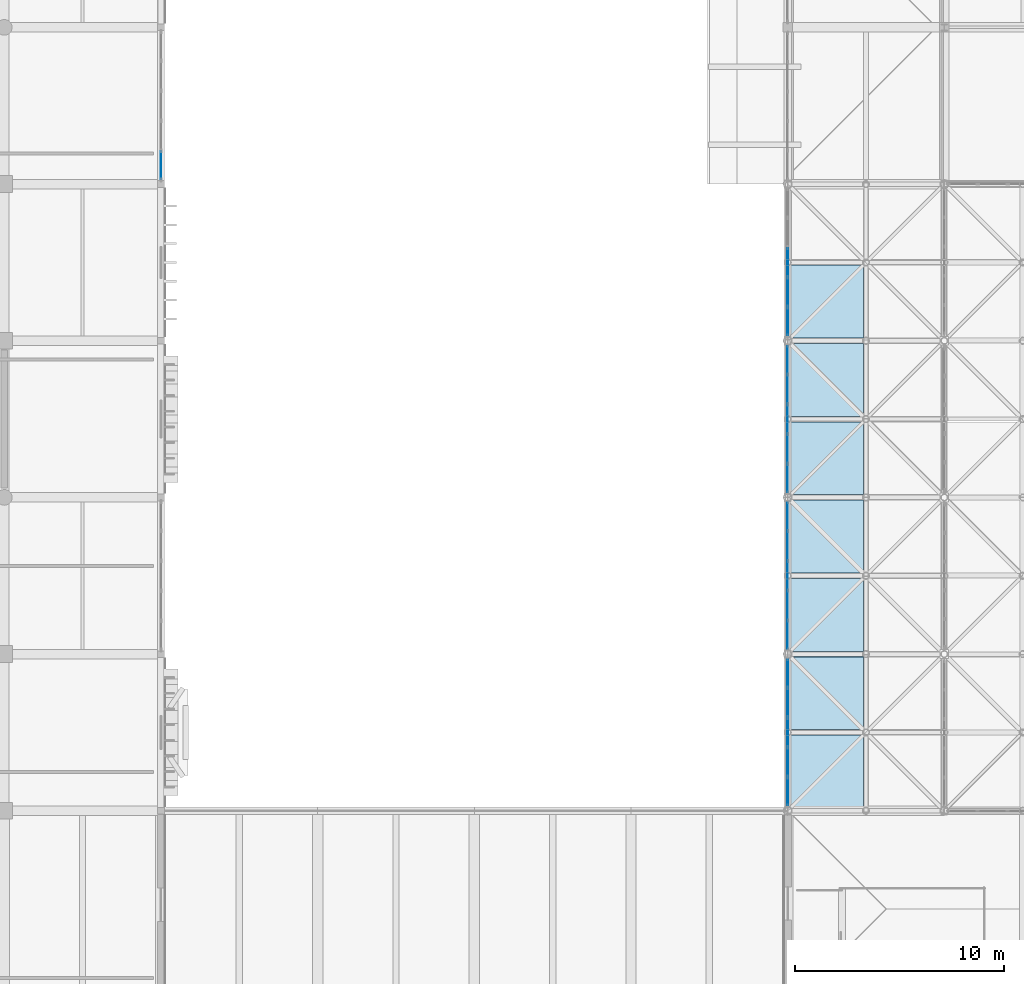
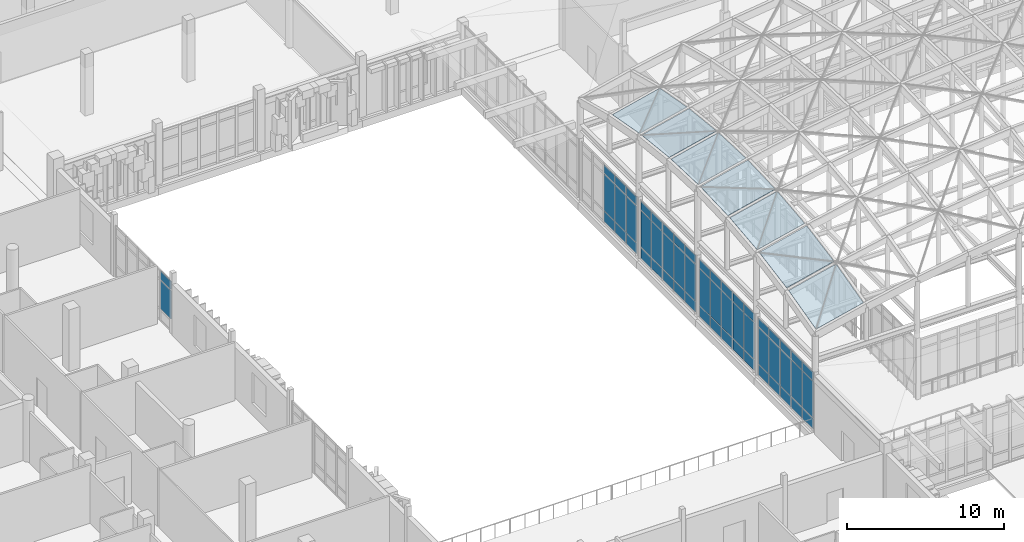
# One storey, part 76 of 131: 63 plates, 6 elements without a shape of their own.
"""IFC4 building model written with IfcOpenShell, lengths in metres."""

import ifcopenshell
import ifcopenshell.guid

model = None  # the IFC model being written
_history = None  # IfcOwnerHistory: only IFC2X3 demands one
_inside = {}  # id of a spatial element -> (the spatial element, [elements in it])
_under = {}  # id of a project, library or spatial element -> (it, [spatial elements below it])
_declared = {}  # id of a project -> (the project, [libraries it declares])
_typed = {}  # id of a type object -> (the type object, [elements of that type])
_made_of = {}  # id of a material, layer set ... -> (it, [elements and type objects made of it])


def new_model(schema):
    """Start an empty IFC model of exactly this schema.

    Asked for "IFC4X3", IfcOpenShell would pick the latest addendum, in which some entities
    have other attributes; the version numbers below select the first issue.
    IFC2X3 requires an IfcOwnerHistory on every rooted entity: one is made here for all.
    """
    global model, _history
    if schema == "IFC4X3":
        model = ifcopenshell.file(schema_version=(4, 3, 0, 0))
    else:
        model = ifcopenshell.file(schema=schema)
    _inside.clear()
    _under.clear()
    _declared.clear()
    _typed.clear()
    _made_of.clear()
    _history = None
    if model.schema == "IFC2X3":
        org = make("IfcOrganization", Name="unknown")
        user = make(
            "IfcPersonAndOrganization",
            ThePerson=make("IfcPerson", FamilyName="unknown"),
            TheOrganization=org,
        )
        app = make(
            "IfcApplication",
            ApplicationDeveloper=org,
            Version="unknown",
            ApplicationFullName="unknown",
            ApplicationIdentifier="unknown",
        )
        _history = make(
            "IfcOwnerHistory",
            OwningUser=user,
            OwningApplication=app,
            ChangeAction="ADDED",
            CreationDate=0,
        )
    return model


def make(cls, **values):
    """One entity of the class cls with the attributes given. An attribute that is None is left unset."""
    return model.create_entity(
        cls, **{name: value for name, value in values.items() if value is not None}
    )


def rooted(cls, **values):
    """An entity with a GlobalId (a new one), such as an element, a storey or a relation."""
    return make(cls, GlobalId=ifcopenshell.guid.new(), OwnerHistory=_history, **values)


def si_unit(unit_type, name, prefix=None):
    """IfcSIUnit, for example si_unit("LENGTHUNIT", "METRE", prefix="MILLI")."""
    return make("IfcSIUnit", UnitType=unit_type, Prefix=prefix, Name=name)


def assignment(units):
    """IfcUnitAssignment: the units of a project."""
    return None if units is None else make("IfcUnitAssignment", Units=units)


def point(xyz):
    """IfcCartesianPoint."""
    return None if xyz is None else make("IfcCartesianPoint", Coordinates=xyz)


def direction(xyz):
    """IfcDirection."""
    return None if xyz is None else make("IfcDirection", DirectionRatios=xyz)


def frame(location, z_axis=None, x_axis=None):
    """IfcAxis2Placement3D, a coordinate frame: its origin and axes. An axis left out is left unset."""
    return make(
        "IfcAxis2Placement3D",
        Location=point(location),
        Axis=direction(z_axis),
        RefDirection=direction(x_axis),
    )


def frame_2d(location, x_axis=None):
    """IfcAxis2Placement2D, a coordinate frame in the plane: its origin and x axis."""
    return make(
        "IfcAxis2Placement2D", Location=point(location), RefDirection=direction(x_axis)
    )


def origin():
    """The frame at (0, 0, 0) with its axes left unset."""
    return frame((0.0, 0.0, 0.0))


def origin_2d():
    """The frame at (0, 0) in the plane with its x axis left unset."""
    return frame_2d((0.0, 0.0))


def place(relative_to, where):
    """IfcLocalPlacement: puts the frame where relative to a parent placement (None: the world)."""
    return make(
        "IfcLocalPlacement", PlacementRelTo=relative_to, RelativePlacement=where
    )


def context(
    kind, dimensions, precision=None, world=None, true_north=None, identifier=None
):
    """IfcGeometricRepresentationContext, for example the 3D "Model" context."""
    return make(
        "IfcGeometricRepresentationContext",
        ContextIdentifier=identifier,
        ContextType=kind,
        CoordinateSpaceDimension=dimensions,
        Precision=precision,
        WorldCoordinateSystem=world,
        TrueNorth=true_north,
    )


def subcontext(parent, identifier, kind, view, scale=None):
    """IfcGeometricRepresentationSubContext, for example "Body" below "Model"."""
    return make(
        "IfcGeometricRepresentationSubContext",
        ContextIdentifier=identifier,
        ContextType=kind,
        ParentContext=parent,
        TargetScale=scale,
        TargetView=view,
    )


def project(units=None, contexts=None):
    """IfcProject with its units and contexts."""
    return rooted(
        "IfcProject",
        Name="project",
        RepresentationContexts=contexts,
        UnitsInContext=assignment(units),
    )


def spatial(cls, under=None, at=None, **own):
    """A site, building, storey or space (cls), placed at a placement, below another one or the project."""
    s = rooted(cls, ObjectPlacement=at, **own)
    if under is not None:
        _under.setdefault(under.id(), (under, []))[1].append(s)
    return s


def polyline(points):
    """IfcPolyline through the points."""
    return make("IfcPolyline", Points=[point(p) for p in points])


def profile(cls, at=None, kind="AREA", **sizes):
    """A parametric profile (cls). Its sizes go by their IFC names, for example OverallWidth=200.0."""
    return make(cls, ProfileType=kind, Position=at, **sizes)


def rectangle(**sizes):
    """IfcRectangleProfileDef."""
    return profile("IfcRectangleProfileDef", **sizes)


def outline(outer, holes=None, kind="AREA"):
    """IfcArbitraryClosedProfileDef: a profile drawn as a closed curve; with holes, ...WithVoids."""
    if holes is None:
        return make("IfcArbitraryClosedProfileDef", ProfileType=kind, OuterCurve=outer)
    return make(
        "IfcArbitraryProfileDefWithVoids",
        ProfileType=kind,
        OuterCurve=outer,
        InnerCurves=holes,
    )


def extrude(swept, where, along, depth):
    """IfcExtrudedAreaSolid: the profile swept, set in the frame where, extruded along a direction by depth."""
    return make(
        "IfcExtrudedAreaSolid",
        SweptArea=swept,
        Position=where,
        ExtrudedDirection=direction(along),
        Depth=depth,
    )


def shape(context_of_items, identifier, shape_type, items):
    """IfcShapeRepresentation: the items that make up one representation, for example the "Body"."""
    return make(
        "IfcShapeRepresentation",
        ContextOfItems=context_of_items,
        RepresentationIdentifier=identifier,
        RepresentationType=shape_type,
        Items=items,
    )


def material(Name=None, Category=None):
    """IfcMaterial."""
    return make("IfcMaterial", Name=Name, Category=Category)


def layer(
    of_material, thickness, ventilated=None, Name=None, Category=None, Priority=None
):
    """IfcMaterialLayer: one layer of a wall or slab, of a material (None: an air gap)."""
    return make(
        "IfcMaterialLayer",
        Material=of_material,
        LayerThickness=thickness,
        IsVentilated=ventilated,
        Name=Name,
        Category=Category,
        Priority=Priority,
    )


def layer_set(layers, Name=None):
    """IfcMaterialLayerSet."""
    return make("IfcMaterialLayerSet", MaterialLayers=layers, LayerSetName=Name)


def made_of(thing, what):
    """Note that an element or type object is made of a material, layer set ...; save() writes the relation."""
    if what is not None:
        _made_of.setdefault(what.id(), (what, []))[1].append(thing)
    return thing


def type_object(cls, material=None, **own):
    """A type object (cls), such as IfcWallType, which elements share."""
    return made_of(rooted(cls, **own), material)


def element(
    cls,
    number,
    at=None,
    inside=None,
    cuts=None,
    type_object=None,
    material=None,
    context=None,
    identifier="Body",
    shape_type=None,
    held_by="IfcProductDefinitionShape",
    body=None,
    shapes=None,
    **own,
):
    """One element of the class cls, such as IfcWall. Its Tag is "e" and its number.

    at: its placement. inside: the storey or other place that contains it. cuts: it is an
    opening in that element (IfcRelVoidsElement). A single representation is given by context,
    identifier, shape_type and body (its items); several are given by shapes. held_by: the class
    of the entity that holds the representations. save() writes the other relations.
    """
    e = rooted(cls, Tag="e%d" % number, ObjectPlacement=at, **own)
    if body is not None:
        shapes = [shape(context, identifier, shape_type, body)]
    if shapes is not None:
        e.Representation = make(held_by, Representations=shapes)
    if inside is not None:
        _inside.setdefault(inside.id(), (inside, []))[1].append(e)
    if cuts is not None:
        rooted(
            "IfcRelVoidsElement", RelatingBuildingElement=cuts, RelatedOpeningElement=e
        )
    if type_object is not None:
        _typed.setdefault(type_object.id(), (type_object, []))[1].append(e)
    return made_of(e, material)


def aggregate(whole, parts):
    """IfcRelAggregates: a whole, such as a stair, and the parts it consists of."""
    return rooted("IfcRelAggregates", RelatingObject=whole, RelatedObjects=parts)


def save(model, path):
    """Write the relations noted so far, then the file.

    IfcRelAggregates (storeys below a building ...), IfcRelContainedInSpatialStructure (elements
    in a storey), IfcRelDefinesByType, IfcRelAssociatesMaterial and IfcRelDeclares: one each for
    every whole, place, type object, material and project.
    """
    for whole, parts in _under.values():
        aggregate(whole, parts)
    for where, things in _inside.values():
        rooted(
            "IfcRelContainedInSpatialStructure",
            RelatedElements=things,
            RelatingStructure=where,
        )
    for kind, things in _typed.values():
        rooted("IfcRelDefinesByType", RelatedObjects=things, RelatingType=kind)
    for what, things in _made_of.values():
        rooted("IfcRelAssociatesMaterial", RelatedObjects=things, RelatingMaterial=what)
    for by, libraries in _declared.values():
        rooted("IfcRelDeclares", RelatingContext=by, RelatedDefinitions=libraries)
    model.write(path)


model = new_model("IFC4")

# Units and contexts
model_context = context("Model", 3, precision=1e-05, world=origin(), true_north=direction((0.0, 1.0)))
body_context = subcontext(model_context, "Body", "Model", "MODEL_VIEW")
ifc_project = project(units=[si_unit("LENGTHUNIT", "METRE"), si_unit("AREAUNIT", "SQUARE_METRE"), si_unit("VOLUMEUNIT", "CUBIC_METRE"), si_unit("PLANEANGLEUNIT", "RADIAN"), si_unit("MASSUNIT", "GRAM", prefix="KILO")], contexts=[model_context])

# Site, building, storey
site_placement = place(None, origin())
site = spatial("IfcSite", under=ifc_project, at=site_placement, CompositionType="ELEMENT")
building_placement = place(site_placement, origin())
building = spatial("IfcBuilding", under=site, at=building_placement, Name="Dalvernix Boulevard General Hospital", CompositionType="ELEMENT")
storey_placement = place(building_placement, frame((0.0, 0.0, 9.300048828125)))
storey = spatial("IfcBuildingStorey", under=building, at=storey_placement, Name="L02", CompositionType="ELEMENT", Elevation=9.300048828125)

# Curtain wall, plates
ifc_material_1 = material(Name="Thermally broken aluminium and solar-control glass curtain wall", Category="aluminium")
ifc_layer_1 = layer(ifc_material_1, 0.159912109375)
ifc_layer_set_1 = layer_set([ifc_layer_1], Name="Thermally broken aluminium and solar-control glass curtain wall (CW-CW-A-71x46)")
curtain_wall_type_1 = type_object("IfcCurtainWallType", Name="CW-CW-A-71x46", PredefinedType="USERDEFINED", material=ifc_layer_set_1)
curtain_wall_1_placement = place(storey_placement, origin())
curtain_wall_1 = element("IfcCurtainWall", 1, at=curtain_wall_1_placement, inside=storey, type_object=curtain_wall_type_1, Name="L02 curtain wall CW-A-71x46 8-5", ObjectType="GLAZED FACADE", PredefinedType="USERDEFINED")
ifc_material_2 = material(Name="Double-glazed solar-control low-emissivity glass", Category="glass")
ifc_layer_2 = layer(ifc_material_2, 0.02392578125)
ifc_layer_set_2 = layer_set([ifc_layer_2], Name="Double-glazed solar-control low-emissivity glass (PLT-CW-P1)")
plate_type_1 = type_object("IfcPlateType", Name="PLT-CW-P1", PredefinedType="CURTAIN_PANEL", material=ifc_layer_set_2)
plate_1_placement = place(storey_placement, frame((60.0, 39.9169921875, 0.059814453125), z_axis=(0.0, 0.0, 1.0), x_axis=(0.0, 1.0, 0.0)))
plate_1 = element("IfcPlate", 2, at=plate_1_placement, type_object=plate_type_1, Name="CW-A-71x46 panel 1.1", PredefinedType="CURTAIN_PANEL", context=body_context, shape_type="SweptSolid", body=[
    extrude(rectangle(XDim=1.333984375, YDim=0.02392578125, at=origin_2d()), origin(), (0.0, 0.0, 1.0), 0.81005859375),
])
plate_2_placement = place(storey_placement, frame((60.0, 39.9169921875, 0.9296875), z_axis=(0.0, 0.0, 1.0), x_axis=(0.0, 1.0, 0.0)))
plate_2 = element("IfcPlate", 3, at=plate_2_placement, type_object=plate_type_1, Name="CW-A-71x46 panel 1.2", PredefinedType="CURTAIN_PANEL", context=body_context, shape_type="SweptSolid", body=[
    extrude(rectangle(XDim=1.333984375, YDim=0.02392578125, at=origin_2d()), origin(), (0.0, 0.0, 1.0), 2.840087890625),
])
plate_3_placement = place(storey_placement, frame((60.0, 39.9169921875, 3.830078125), z_axis=(0.0, 0.0, 1.0), x_axis=(0.0, 1.0, 0.0)))
plate_3 = element("IfcPlate", 4, at=plate_3_placement, type_object=plate_type_1, Name="CW-A-71x46 panel 1.3", PredefinedType="CURTAIN_PANEL", context=body_context, shape_type="SweptSolid", body=[
    extrude(rectangle(XDim=1.333984375, YDim=0.02392578125, at=origin_2d()), origin(), (0.0, 0.0, 1.0), 0.659912109375),
])
plate_4_placement = place(storey_placement, frame((60.0, 41.325927734375, 0.059814453125), z_axis=(0.0, 0.0, 1.0), x_axis=(0.0, 1.0, 0.0)))
plate_4 = element("IfcPlate", 5, at=plate_4_placement, type_object=plate_type_1, Name="CW-A-71x46 panel 2.1", PredefinedType="CURTAIN_PANEL", context=body_context, shape_type="SweptSolid", body=[
    extrude(rectangle(XDim=1.364013671875, YDim=0.02392578125, at=origin_2d()), origin(), (0.0, 0.0, 1.0), 0.81005859375),
])
plate_5_placement = place(storey_placement, frame((60.0, 41.325927734375, 0.9296875), z_axis=(0.0, 0.0, 1.0), x_axis=(0.0, 1.0, 0.0)))
plate_5 = element("IfcPlate", 6, at=plate_5_placement, type_object=plate_type_1, Name="CW-A-71x46 panel 2.2", PredefinedType="CURTAIN_PANEL", context=body_context, shape_type="SweptSolid", body=[
    extrude(rectangle(XDim=1.364013671875, YDim=0.02392578125, at=origin_2d()), origin(), (0.0, 0.0, 1.0), 2.840087890625),
])
plate_6_placement = place(storey_placement, frame((60.0, 41.325927734375, 3.830078125), z_axis=(0.0, 0.0, 1.0), x_axis=(0.0, 1.0, 0.0)))
plate_6 = element("IfcPlate", 7, at=plate_6_placement, type_object=plate_type_1, Name="CW-A-71x46 panel 2.3", PredefinedType="CURTAIN_PANEL", context=body_context, shape_type="SweptSolid", body=[
    extrude(rectangle(XDim=1.364013671875, YDim=0.02392578125, at=origin_2d()), origin(), (0.0, 0.0, 1.0), 0.659912109375),
])
plate_7_placement = place(storey_placement, frame((60.0, 42.75, 0.059814453125), z_axis=(0.0, 0.0, 1.0), x_axis=(0.0, 1.0, 0.0)))
plate_7 = element("IfcPlate", 8, at=plate_7_placement, type_object=plate_type_1, Name="CW-A-71x46 panel 3.1", PredefinedType="CURTAIN_PANEL", context=body_context, shape_type="SweptSolid", body=[
    extrude(rectangle(XDim=1.364013671875, YDim=0.02392578125, at=origin_2d()), origin(), (0.0, 0.0, 1.0), 0.81005859375),
])
plate_8_placement = place(storey_placement, frame((60.0, 42.75, 0.9296875), z_axis=(0.0, 0.0, 1.0), x_axis=(0.0, 1.0, 0.0)))
plate_8 = element("IfcPlate", 9, at=plate_8_placement, type_object=plate_type_1, Name="CW-A-71x46 panel 3.2", PredefinedType="CURTAIN_PANEL", context=body_context, shape_type="SweptSolid", body=[
    extrude(rectangle(XDim=1.364013671875, YDim=0.02392578125, at=origin_2d()), origin(), (0.0, 0.0, 1.0), 2.840087890625),
])
plate_9_placement = place(storey_placement, frame((60.0, 42.75, 3.830078125), z_axis=(0.0, 0.0, 1.0), x_axis=(0.0, 1.0, 0.0)))
plate_9 = element("IfcPlate", 10, at=plate_9_placement, type_object=plate_type_1, Name="CW-A-71x46 panel 3.3", PredefinedType="CURTAIN_PANEL", context=body_context, shape_type="SweptSolid", body=[
    extrude(rectangle(XDim=1.364013671875, YDim=0.02392578125, at=origin_2d()), origin(), (0.0, 0.0, 1.0), 0.659912109375),
])
plate_10_placement = place(storey_placement, frame((60.0, 44.174072265625, 0.059814453125), z_axis=(0.0, 0.0, 1.0), x_axis=(0.0, 1.0, 0.0)))
plate_10 = element("IfcPlate", 11, at=plate_10_placement, type_object=plate_type_1, Name="CW-A-71x46 panel 4.1", PredefinedType="CURTAIN_PANEL", context=body_context, shape_type="SweptSolid", body=[
    extrude(rectangle(XDim=1.364013671875, YDim=0.02392578125, at=origin_2d()), origin(), (0.0, 0.0, 1.0), 0.81005859375),
])
plate_11_placement = place(storey_placement, frame((60.0, 44.174072265625, 0.9296875), z_axis=(0.0, 0.0, 1.0), x_axis=(0.0, 1.0, 0.0)))
plate_11 = element("IfcPlate", 12, at=plate_11_placement, type_object=plate_type_1, Name="CW-A-71x46 panel 4.2", PredefinedType="CURTAIN_PANEL", context=body_context, shape_type="SweptSolid", body=[
    extrude(rectangle(XDim=1.364013671875, YDim=0.02392578125, at=origin_2d()), origin(), (0.0, 0.0, 1.0), 2.840087890625),
])
plate_12_placement = place(storey_placement, frame((60.0, 44.174072265625, 3.830078125), z_axis=(0.0, 0.0, 1.0), x_axis=(0.0, 1.0, 0.0)))
plate_12 = element("IfcPlate", 13, at=plate_12_placement, type_object=plate_type_1, Name="CW-A-71x46 panel 4.3", PredefinedType="CURTAIN_PANEL", context=body_context, shape_type="SweptSolid", body=[
    extrude(rectangle(XDim=1.364013671875, YDim=0.02392578125, at=origin_2d()), origin(), (0.0, 0.0, 1.0), 0.659912109375),
])
plate_13_placement = place(storey_placement, frame((60.0, 45.5830078125, 0.059814453125), z_axis=(0.0, 0.0, 1.0), x_axis=(0.0, 1.0, 0.0)))
plate_13 = element("IfcPlate", 14, at=plate_13_placement, type_object=plate_type_1, Name="CW-A-71x46 panel 5.1", PredefinedType="CURTAIN_PANEL", context=body_context, shape_type="SweptSolid", body=[
    extrude(rectangle(XDim=1.333984375, YDim=0.02392578125, at=origin_2d()), origin(), (0.0, 0.0, 1.0), 0.81005859375),
])
plate_14_placement = place(storey_placement, frame((60.0, 45.5830078125, 0.9296875), z_axis=(0.0, 0.0, 1.0), x_axis=(0.0, 1.0, 0.0)))
plate_14 = element("IfcPlate", 15, at=plate_14_placement, type_object=plate_type_1, Name="CW-A-71x46 panel 5.2", PredefinedType="CURTAIN_PANEL", context=body_context, shape_type="SweptSolid", body=[
    extrude(rectangle(XDim=1.333984375, YDim=0.02392578125, at=origin_2d()), origin(), (0.0, 0.0, 1.0), 2.840087890625),
])
plate_15_placement = place(storey_placement, frame((60.0, 45.5830078125, 3.830078125), z_axis=(0.0, 0.0, 1.0), x_axis=(0.0, 1.0, 0.0)))
plate_15 = element("IfcPlate", 16, at=plate_15_placement, type_object=plate_type_1, Name="CW-A-71x46 panel 5.3", PredefinedType="CURTAIN_PANEL", context=body_context, shape_type="SweptSolid", body=[
    extrude(rectangle(XDim=1.333984375, YDim=0.02392578125, at=origin_2d()), origin(), (0.0, 0.0, 1.0), 0.659912109375),
])
aggregate(curtain_wall_1, [plate_1, plate_2, plate_3, plate_4, plate_5, plate_6, plate_7, plate_8, plate_9, plate_10, plate_11, plate_12, plate_13, plate_14, plate_15])

ifc_layer_3 = layer(ifc_material_1, 0.179931640625)
ifc_layer_set_3 = layer_set([ifc_layer_3], Name="Thermally broken aluminium and solar-control glass curtain wall (CW-CW-B-71x46)")
curtain_wall_type_2 = type_object("IfcCurtainWallType", Name="CW-CW-B-71x46", PredefinedType="USERDEFINED", material=ifc_layer_set_3)
curtain_wall_2_placement = place(storey_placement, origin())
curtain_wall_2 = element("IfcCurtainWall", 17, at=curtain_wall_2_placement, inside=storey, type_object=curtain_wall_type_2, Name="L02 curtain wall CW-B-71x46 8-6", ObjectType="GLAZED FACADE", PredefinedType="USERDEFINED")
ifc_layer_4 = layer(ifc_material_2, 0.028076171875)
ifc_layer_set_4 = layer_set([ifc_layer_4], Name="Double-glazed solar-control low-emissivity glass (PLT-CW-P2)")
plate_type_2 = type_object("IfcPlateType", Name="PLT-CW-P2", PredefinedType="CURTAIN_PANEL", material=ifc_layer_set_4)
plate_16_placement = place(storey_placement, frame((60.0, 47.418212890625, 0.06494140625), z_axis=(0.0, 0.0, 1.0), x_axis=(0.0, 1.0, 0.0)))
plate_16 = element("IfcPlate", 18, at=plate_16_placement, type_object=plate_type_2, Name="CW-B-71x46 panel 1.1", PredefinedType="CURTAIN_PANEL", context=body_context, shape_type="SweptSolid", body=[
    extrude(rectangle(XDim=1.326416015625, YDim=0.028076171875, at=origin_2d()), origin(), (0.0, 0.0, 1.0), 0.802490234375),
])
plate_17_placement = place(storey_placement, frame((60.0, 47.418212890625, 0.932373046875), z_axis=(0.0, 0.0, 1.0), x_axis=(0.0, 1.0, 0.0)))
plate_17 = element("IfcPlate", 19, at=plate_17_placement, type_object=plate_type_2, Name="CW-B-71x46 panel 1.2", PredefinedType="CURTAIN_PANEL", context=body_context, shape_type="SweptSolid", body=[
    extrude(rectangle(XDim=1.326416015625, YDim=0.028076171875, at=origin_2d()), origin(), (0.0, 0.0, 1.0), 2.8349609375),
])
plate_18_placement = place(storey_placement, frame((60.0, 47.418212890625, 3.83251953125), z_axis=(0.0, 0.0, 1.0), x_axis=(0.0, 1.0, 0.0)))
plate_18 = element("IfcPlate", 20, at=plate_18_placement, type_object=plate_type_2, Name="CW-B-71x46 panel 1.3", PredefinedType="CURTAIN_PANEL", context=body_context, shape_type="SweptSolid", body=[
    extrude(rectangle(XDim=1.326416015625, YDim=0.028076171875, at=origin_2d()), origin(), (0.0, 0.0, 1.0), 0.652587890625),
])
plate_19_placement = place(storey_placement, frame((60.0, 48.825927734375, 0.06494140625), z_axis=(0.0, 0.0, 1.0), x_axis=(0.0, 1.0, 0.0)))
plate_19 = element("IfcPlate", 21, at=plate_19_placement, type_object=plate_type_2, Name="CW-B-71x46 panel 2.1", PredefinedType="CURTAIN_PANEL", context=body_context, shape_type="SweptSolid", body=[
    extrude(rectangle(XDim=1.35888671875, YDim=0.028076171875, at=origin_2d()), origin(), (0.0, 0.0, 1.0), 0.802490234375),
])
plate_20_placement = place(storey_placement, frame((60.0, 48.825927734375, 0.932373046875), z_axis=(0.0, 0.0, 1.0), x_axis=(0.0, 1.0, 0.0)))
plate_20 = element("IfcPlate", 22, at=plate_20_placement, type_object=plate_type_2, Name="CW-B-71x46 panel 2.2", PredefinedType="CURTAIN_PANEL", context=body_context, shape_type="SweptSolid", body=[
    extrude(rectangle(XDim=1.35888671875, YDim=0.028076171875, at=origin_2d()), origin(), (0.0, 0.0, 1.0), 2.8349609375),
])
plate_21_placement = place(storey_placement, frame((60.0, 48.825927734375, 3.83251953125), z_axis=(0.0, 0.0, 1.0), x_axis=(0.0, 1.0, 0.0)))
plate_21 = element("IfcPlate", 23, at=plate_21_placement, type_object=plate_type_2, Name="CW-B-71x46 panel 2.3", PredefinedType="CURTAIN_PANEL", context=body_context, shape_type="SweptSolid", body=[
    extrude(rectangle(XDim=1.35888671875, YDim=0.028076171875, at=origin_2d()), origin(), (0.0, 0.0, 1.0), 0.652587890625),
])
plate_22_placement = place(storey_placement, frame((60.0, 50.25, 0.06494140625), z_axis=(0.0, 0.0, 1.0), x_axis=(0.0, 1.0, 0.0)))
plate_22 = element("IfcPlate", 24, at=plate_22_placement, type_object=plate_type_2, Name="CW-B-71x46 panel 3.1", PredefinedType="CURTAIN_PANEL", context=body_context, shape_type="SweptSolid", body=[
    extrude(rectangle(XDim=1.35888671875, YDim=0.028076171875, at=origin_2d()), origin(), (0.0, 0.0, 1.0), 0.802490234375),
])
plate_23_placement = place(storey_placement, frame((60.0, 50.25, 0.932373046875), z_axis=(0.0, 0.0, 1.0), x_axis=(0.0, 1.0, 0.0)))
plate_23 = element("IfcPlate", 25, at=plate_23_placement, type_object=plate_type_2, Name="CW-B-71x46 panel 3.2", PredefinedType="CURTAIN_PANEL", context=body_context, shape_type="SweptSolid", body=[
    extrude(rectangle(XDim=1.35888671875, YDim=0.028076171875, at=origin_2d()), origin(), (0.0, 0.0, 1.0), 2.8349609375),
])
plate_24_placement = place(storey_placement, frame((60.0, 50.25, 3.83251953125), z_axis=(0.0, 0.0, 1.0), x_axis=(0.0, 1.0, 0.0)))
plate_24 = element("IfcPlate", 26, at=plate_24_placement, type_object=plate_type_2, Name="CW-B-71x46 panel 3.3", PredefinedType="CURTAIN_PANEL", context=body_context, shape_type="SweptSolid", body=[
    extrude(rectangle(XDim=1.35888671875, YDim=0.028076171875, at=origin_2d()), origin(), (0.0, 0.0, 1.0), 0.652587890625),
])
plate_25_placement = place(storey_placement, frame((60.0, 51.674072265625, 0.06494140625), z_axis=(0.0, 0.0, 1.0), x_axis=(0.0, 1.0, 0.0)))
plate_25 = element("IfcPlate", 27, at=plate_25_placement, type_object=plate_type_2, Name="CW-B-71x46 panel 4.1", PredefinedType="CURTAIN_PANEL", context=body_context, shape_type="SweptSolid", body=[
    extrude(rectangle(XDim=1.35888671875, YDim=0.028076171875, at=origin_2d()), origin(), (0.0, 0.0, 1.0), 0.802490234375),
])
plate_26_placement = place(storey_placement, frame((60.0, 51.674072265625, 0.932373046875), z_axis=(0.0, 0.0, 1.0), x_axis=(0.0, 1.0, 0.0)))
plate_26 = element("IfcPlate", 28, at=plate_26_placement, type_object=plate_type_2, Name="CW-B-71x46 panel 4.2", PredefinedType="CURTAIN_PANEL", context=body_context, shape_type="SweptSolid", body=[
    extrude(rectangle(XDim=1.35888671875, YDim=0.028076171875, at=origin_2d()), origin(), (0.0, 0.0, 1.0), 2.8349609375),
])
plate_27_placement = place(storey_placement, frame((60.0, 51.674072265625, 3.83251953125), z_axis=(0.0, 0.0, 1.0), x_axis=(0.0, 1.0, 0.0)))
plate_27 = element("IfcPlate", 29, at=plate_27_placement, type_object=plate_type_2, Name="CW-B-71x46 panel 4.3", PredefinedType="CURTAIN_PANEL", context=body_context, shape_type="SweptSolid", body=[
    extrude(rectangle(XDim=1.35888671875, YDim=0.028076171875, at=origin_2d()), origin(), (0.0, 0.0, 1.0), 0.652587890625),
])
plate_28_placement = place(storey_placement, frame((60.0, 53.081787109375, 0.06494140625), z_axis=(0.0, 0.0, 1.0), x_axis=(0.0, 1.0, 0.0)))
plate_28 = element("IfcPlate", 30, at=plate_28_placement, type_object=plate_type_2, Name="CW-B-71x46 panel 5.1", PredefinedType="CURTAIN_PANEL", context=body_context, shape_type="SweptSolid", body=[
    extrude(rectangle(XDim=1.326416015625, YDim=0.028076171875, at=origin_2d()), origin(), (0.0, 0.0, 1.0), 0.802490234375),
])
plate_29_placement = place(storey_placement, frame((60.0, 53.081787109375, 0.932373046875), z_axis=(0.0, 0.0, 1.0), x_axis=(0.0, 1.0, 0.0)))
plate_29 = element("IfcPlate", 31, at=plate_29_placement, type_object=plate_type_2, Name="CW-B-71x46 panel 5.2", PredefinedType="CURTAIN_PANEL", context=body_context, shape_type="SweptSolid", body=[
    extrude(rectangle(XDim=1.326416015625, YDim=0.028076171875, at=origin_2d()), origin(), (0.0, 0.0, 1.0), 2.8349609375),
])
plate_30_placement = place(storey_placement, frame((60.0, 53.081787109375, 3.83251953125), z_axis=(0.0, 0.0, 1.0), x_axis=(0.0, 1.0, 0.0)))
plate_30 = element("IfcPlate", 32, at=plate_30_placement, type_object=plate_type_2, Name="CW-B-71x46 panel 5.3", PredefinedType="CURTAIN_PANEL", context=body_context, shape_type="SweptSolid", body=[
    extrude(rectangle(XDim=1.326416015625, YDim=0.028076171875, at=origin_2d()), origin(), (0.0, 0.0, 1.0), 0.652587890625),
])
aggregate(curtain_wall_2, [plate_16, plate_17, plate_18, plate_19, plate_20, plate_21, plate_22, plate_23, plate_24, plate_25, plate_26, plate_27, plate_28, plate_29, plate_30])

ifc_layer_5 = layer(ifc_material_1, 0.199951171875)
ifc_layer_set_5 = layer_set([ifc_layer_5], Name="Thermally broken aluminium and solar-control glass curtain wall (CW-CW-C-72x40)")
curtain_wall_type_3 = type_object("IfcCurtainWallType", Name="CW-CW-C-72x40", PredefinedType="USERDEFINED", material=ifc_layer_set_5)
curtain_wall_3_placement = place(storey_placement, origin())
curtain_wall_3 = element("IfcCurtainWall", 33, at=curtain_wall_3_placement, inside=storey, type_object=curtain_wall_type_3, Name="L02 curtain wall CW-C-72x40 4-8", ObjectType="GLAZED FACADE", PredefinedType="USERDEFINED")
ifc_layer_6 = layer(ifc_material_2, 0.035888671875)
ifc_layer_set_6 = layer_set([ifc_layer_6], Name="Double-glazed solar-control low-emissivity glass (PLT-CW-P3)")
plate_type_3 = type_object("IfcPlateType", Name="PLT-CW-P3", PredefinedType="CURTAIN_PANEL", material=ifc_layer_set_6)
plate_31_placement = place(storey_placement, frame((30.0, 62.403564453125, 0.93505859375), z_axis=(0.0, 0.0, 1.0), x_axis=(0.0, -1.0, 0.0)))
plate_31 = element("IfcPlate", 34, at=plate_31_placement, type_object=plate_type_3, Name="CW-C-72x40 panel 5.2", PredefinedType="CURTAIN_PANEL", context=body_context, shape_type="SweptSolid", body=[
    extrude(rectangle(XDim=1.326904296875, YDim=0.035888671875, at=origin_2d()), origin(), (0.0, 0.0, 1.0), 2.22998046875),
])
plate_32_placement = place(storey_placement, frame((30.0, 62.403564453125, 3.23486328125), z_axis=(0.0, 0.0, 1.0), x_axis=(0.0, -1.0, 0.0)))
plate_32 = element("IfcPlate", 35, at=plate_32_placement, type_object=plate_type_3, Name="CW-C-72x40 panel 5.3", PredefinedType="CURTAIN_PANEL", context=body_context, shape_type="SweptSolid", body=[
    extrude(rectangle(XDim=1.326904296875, YDim=0.035888671875, at=origin_2d()), origin(), (0.0, 0.0, 1.0), 0.64501953125),
])
aggregate(curtain_wall_3, [plate_31, plate_32])

ifc_layer_7 = layer(ifc_material_1, 0.199951171875)
ifc_layer_set_7 = layer_set([ifc_layer_7], Name="Thermally broken aluminium and solar-control glass curtain wall (CW-CW-C-71x46)")
curtain_wall_type_4 = type_object("IfcCurtainWallType", Name="CW-CW-C-71x46", PredefinedType="USERDEFINED", material=ifc_layer_set_7)
curtain_wall_4_placement = place(storey_placement, origin())
curtain_wall_4 = element("IfcCurtainWall", 36, at=curtain_wall_4_placement, inside=storey, type_object=curtain_wall_type_4, Name="L02 curtain wall CW-C-71x46 8-4", ObjectType="GLAZED FACADE", PredefinedType="USERDEFINED")
plate_33_placement = place(storey_placement, frame((60.0, 32.41943359375, 0.070068359375), z_axis=(0.0, 0.0, 1.0), x_axis=(0.0, 1.0, 0.0)))
plate_33 = element("IfcPlate", 37, at=plate_33_placement, type_object=plate_type_3, Name="CW-C-71x46 panel 1.1", PredefinedType="CURTAIN_PANEL", context=body_context, shape_type="SweptSolid", body=[
    extrude(rectangle(XDim=1.319091796875, YDim=0.035888671875, at=origin_2d()), origin(), (0.0, 0.0, 1.0), 0.794921875),
])
plate_34_placement = place(storey_placement, frame((60.0, 32.41943359375, 0.934814453125), z_axis=(0.0, 0.0, 1.0), x_axis=(0.0, 1.0, 0.0)))
plate_34 = element("IfcPlate", 38, at=plate_34_placement, type_object=plate_type_3, Name="CW-C-71x46 panel 1.2", PredefinedType="CURTAIN_PANEL", context=body_context, shape_type="SweptSolid", body=[
    extrude(rectangle(XDim=1.319091796875, YDim=0.035888671875, at=origin_2d()), origin(), (0.0, 0.0, 1.0), 2.830078125),
])
plate_35_placement = place(storey_placement, frame((60.0, 32.41943359375, 3.8349609375), z_axis=(0.0, 0.0, 1.0), x_axis=(0.0, 1.0, 0.0)))
plate_35 = element("IfcPlate", 39, at=plate_35_placement, type_object=plate_type_3, Name="CW-C-71x46 panel 1.3", PredefinedType="CURTAIN_PANEL", context=body_context, shape_type="SweptSolid", body=[
    extrude(rectangle(XDim=1.319091796875, YDim=0.035888671875, at=origin_2d()), origin(), (0.0, 0.0, 1.0), 0.64501953125),
])
plate_36_placement = place(storey_placement, frame((60.0, 33.825927734375, 0.070068359375), z_axis=(0.0, 0.0, 1.0), x_axis=(0.0, 1.0, 0.0)))
plate_36 = element("IfcPlate", 40, at=plate_36_placement, type_object=plate_type_3, Name="CW-C-71x46 panel 2.1", PredefinedType="CURTAIN_PANEL", context=body_context, shape_type="SweptSolid", body=[
    extrude(rectangle(XDim=1.35400390625, YDim=0.035888671875, at=origin_2d()), origin(), (0.0, 0.0, 1.0), 0.794921875),
])
plate_37_placement = place(storey_placement, frame((60.0, 33.825927734375, 0.934814453125), z_axis=(0.0, 0.0, 1.0), x_axis=(0.0, 1.0, 0.0)))
plate_37 = element("IfcPlate", 41, at=plate_37_placement, type_object=plate_type_3, Name="CW-C-71x46 panel 2.2", PredefinedType="CURTAIN_PANEL", context=body_context, shape_type="SweptSolid", body=[
    extrude(rectangle(XDim=1.35400390625, YDim=0.035888671875, at=origin_2d()), origin(), (0.0, 0.0, 1.0), 2.830078125),
])
plate_38_placement = place(storey_placement, frame((60.0, 33.825927734375, 3.8349609375), z_axis=(0.0, 0.0, 1.0), x_axis=(0.0, 1.0, 0.0)))
plate_38 = element("IfcPlate", 42, at=plate_38_placement, type_object=plate_type_3, Name="CW-C-71x46 panel 2.3", PredefinedType="CURTAIN_PANEL", context=body_context, shape_type="SweptSolid", body=[
    extrude(rectangle(XDim=1.35400390625, YDim=0.035888671875, at=origin_2d()), origin(), (0.0, 0.0, 1.0), 0.64501953125),
])
plate_39_placement = place(storey_placement, frame((60.0, 35.25, 0.070068359375), z_axis=(0.0, 0.0, 1.0), x_axis=(0.0, 1.0, 0.0)))
plate_39 = element("IfcPlate", 43, at=plate_39_placement, type_object=plate_type_3, Name="CW-C-71x46 panel 3.1", PredefinedType="CURTAIN_PANEL", context=body_context, shape_type="SweptSolid", body=[
    extrude(rectangle(XDim=1.35400390625, YDim=0.035888671875, at=origin_2d()), origin(), (0.0, 0.0, 1.0), 0.794921875),
])
plate_40_placement = place(storey_placement, frame((60.0, 35.25, 0.934814453125), z_axis=(0.0, 0.0, 1.0), x_axis=(0.0, 1.0, 0.0)))
plate_40 = element("IfcPlate", 44, at=plate_40_placement, type_object=plate_type_3, Name="CW-C-71x46 panel 3.2", PredefinedType="CURTAIN_PANEL", context=body_context, shape_type="SweptSolid", body=[
    extrude(rectangle(XDim=1.35400390625, YDim=0.035888671875, at=origin_2d()), origin(), (0.0, 0.0, 1.0), 2.830078125),
])
plate_41_placement = place(storey_placement, frame((60.0, 35.25, 3.8349609375), z_axis=(0.0, 0.0, 1.0), x_axis=(0.0, 1.0, 0.0)))
plate_41 = element("IfcPlate", 45, at=plate_41_placement, type_object=plate_type_3, Name="CW-C-71x46 panel 3.3", PredefinedType="CURTAIN_PANEL", context=body_context, shape_type="SweptSolid", body=[
    extrude(rectangle(XDim=1.35400390625, YDim=0.035888671875, at=origin_2d()), origin(), (0.0, 0.0, 1.0), 0.64501953125),
])
plate_42_placement = place(storey_placement, frame((60.0, 36.674072265625, 0.070068359375), z_axis=(0.0, 0.0, 1.0), x_axis=(0.0, 1.0, 0.0)))
plate_42 = element("IfcPlate", 46, at=plate_42_placement, type_object=plate_type_3, Name="CW-C-71x46 panel 4.1", PredefinedType="CURTAIN_PANEL", context=body_context, shape_type="SweptSolid", body=[
    extrude(rectangle(XDim=1.35400390625, YDim=0.035888671875, at=origin_2d()), origin(), (0.0, 0.0, 1.0), 0.794921875),
])
plate_43_placement = place(storey_placement, frame((60.0, 36.674072265625, 0.934814453125), z_axis=(0.0, 0.0, 1.0), x_axis=(0.0, 1.0, 0.0)))
plate_43 = element("IfcPlate", 47, at=plate_43_placement, type_object=plate_type_3, Name="CW-C-71x46 panel 4.2", PredefinedType="CURTAIN_PANEL", context=body_context, shape_type="SweptSolid", body=[
    extrude(rectangle(XDim=1.35400390625, YDim=0.035888671875, at=origin_2d()), origin(), (0.0, 0.0, 1.0), 2.830078125),
])
plate_44_placement = place(storey_placement, frame((60.0, 36.674072265625, 3.8349609375), z_axis=(0.0, 0.0, 1.0), x_axis=(0.0, 1.0, 0.0)))
plate_44 = element("IfcPlate", 48, at=plate_44_placement, type_object=plate_type_3, Name="CW-C-71x46 panel 4.3", PredefinedType="CURTAIN_PANEL", context=body_context, shape_type="SweptSolid", body=[
    extrude(rectangle(XDim=1.35400390625, YDim=0.035888671875, at=origin_2d()), origin(), (0.0, 0.0, 1.0), 0.64501953125),
])
plate_45_placement = place(storey_placement, frame((60.0, 38.08056640625, 0.070068359375), z_axis=(0.0, 0.0, 1.0), x_axis=(0.0, 1.0, 0.0)))
plate_45 = element("IfcPlate", 49, at=plate_45_placement, type_object=plate_type_3, Name="CW-C-71x46 panel 5.1", PredefinedType="CURTAIN_PANEL", context=body_context, shape_type="SweptSolid", body=[
    extrude(rectangle(XDim=1.319091796875, YDim=0.035888671875, at=origin_2d()), origin(), (0.0, 0.0, 1.0), 0.794921875),
])
plate_46_placement = place(storey_placement, frame((60.0, 38.08056640625, 0.934814453125), z_axis=(0.0, 0.0, 1.0), x_axis=(0.0, 1.0, 0.0)))
plate_46 = element("IfcPlate", 50, at=plate_46_placement, type_object=plate_type_3, Name="CW-C-71x46 panel 5.2", PredefinedType="CURTAIN_PANEL", context=body_context, shape_type="SweptSolid", body=[
    extrude(rectangle(XDim=1.319091796875, YDim=0.035888671875, at=origin_2d()), origin(), (0.0, 0.0, 1.0), 2.830078125),
])
plate_47_placement = place(storey_placement, frame((60.0, 38.08056640625, 3.8349609375), z_axis=(0.0, 0.0, 1.0), x_axis=(0.0, 1.0, 0.0)))
plate_47 = element("IfcPlate", 51, at=plate_47_placement, type_object=plate_type_3, Name="CW-C-71x46 panel 5.3", PredefinedType="CURTAIN_PANEL", context=body_context, shape_type="SweptSolid", body=[
    extrude(rectangle(XDim=1.319091796875, YDim=0.035888671875, at=origin_2d()), origin(), (0.0, 0.0, 1.0), 0.64501953125),
])
aggregate(curtain_wall_4, [plate_33, plate_34, plate_35, plate_36, plate_37, plate_38, plate_39, plate_40, plate_41, plate_42, plate_43, plate_44, plate_45, plate_46, plate_47])

curtain_wall_5_placement = place(storey_placement, origin())
curtain_wall_5 = element("IfcCurtainWall", 52, at=curtain_wall_5_placement, inside=storey, type_object=curtain_wall_type_4, Name="L02 curtain wall CW-C-71x46 8-7", ObjectType="GLAZED FACADE", PredefinedType="USERDEFINED")
plate_48_placement = place(storey_placement, frame((60.0, 54.91943359375, 0.070068359375), z_axis=(0.0, 0.0, 1.0), x_axis=(0.0, 1.0, 0.0)))
plate_48 = element("IfcPlate", 53, at=plate_48_placement, type_object=plate_type_3, Name="CW-C-71x46 panel 1.1", PredefinedType="CURTAIN_PANEL", context=body_context, shape_type="SweptSolid", body=[
    extrude(rectangle(XDim=1.319091796875, YDim=0.035888671875, at=origin_2d()), origin(), (0.0, 0.0, 1.0), 0.794921875),
])
plate_49_placement = place(storey_placement, frame((60.0, 54.91943359375, 0.934814453125), z_axis=(0.0, 0.0, 1.0), x_axis=(0.0, 1.0, 0.0)))
plate_49 = element("IfcPlate", 54, at=plate_49_placement, type_object=plate_type_3, Name="CW-C-71x46 panel 1.2", PredefinedType="CURTAIN_PANEL", context=body_context, shape_type="SweptSolid", body=[
    extrude(rectangle(XDim=1.319091796875, YDim=0.035888671875, at=origin_2d()), origin(), (0.0, 0.0, 1.0), 2.830078125),
])
plate_50_placement = place(storey_placement, frame((60.0, 54.91943359375, 3.8349609375), z_axis=(0.0, 0.0, 1.0), x_axis=(0.0, 1.0, 0.0)))
plate_50 = element("IfcPlate", 55, at=plate_50_placement, type_object=plate_type_3, Name="CW-C-71x46 panel 1.3", PredefinedType="CURTAIN_PANEL", context=body_context, shape_type="SweptSolid", body=[
    extrude(rectangle(XDim=1.319091796875, YDim=0.035888671875, at=origin_2d()), origin(), (0.0, 0.0, 1.0), 0.64501953125),
])
plate_51_placement = place(storey_placement, frame((60.0, 56.325927734375, 0.070068359375), z_axis=(0.0, 0.0, 1.0), x_axis=(0.0, 1.0, 0.0)))
plate_51 = element("IfcPlate", 56, at=plate_51_placement, type_object=plate_type_3, Name="CW-C-71x46 panel 2.1", PredefinedType="CURTAIN_PANEL", context=body_context, shape_type="SweptSolid", body=[
    extrude(rectangle(XDim=1.35400390625, YDim=0.035888671875, at=origin_2d()), origin(), (0.0, 0.0, 1.0), 0.794921875),
])
plate_52_placement = place(storey_placement, frame((60.0, 56.325927734375, 0.934814453125), z_axis=(0.0, 0.0, 1.0), x_axis=(0.0, 1.0, 0.0)))
plate_52 = element("IfcPlate", 57, at=plate_52_placement, type_object=plate_type_3, Name="CW-C-71x46 panel 2.2", PredefinedType="CURTAIN_PANEL", context=body_context, shape_type="SweptSolid", body=[
    extrude(rectangle(XDim=1.35400390625, YDim=0.035888671875, at=origin_2d()), origin(), (0.0, 0.0, 1.0), 2.830078125),
])
plate_53_placement = place(storey_placement, frame((60.0, 56.325927734375, 3.8349609375), z_axis=(0.0, 0.0, 1.0), x_axis=(0.0, 1.0, 0.0)))
plate_53 = element("IfcPlate", 58, at=plate_53_placement, type_object=plate_type_3, Name="CW-C-71x46 panel 2.3", PredefinedType="CURTAIN_PANEL", context=body_context, shape_type="SweptSolid", body=[
    extrude(rectangle(XDim=1.35400390625, YDim=0.035888671875, at=origin_2d()), origin(), (0.0, 0.0, 1.0), 0.64501953125),
])
plate_54_placement = place(storey_placement, frame((60.0, 57.75, 0.070068359375), z_axis=(0.0, 0.0, 1.0), x_axis=(0.0, 1.0, 0.0)))
plate_54 = element("IfcPlate", 59, at=plate_54_placement, type_object=plate_type_3, Name="CW-C-71x46 panel 3.1", PredefinedType="CURTAIN_PANEL", context=body_context, shape_type="SweptSolid", body=[
    extrude(rectangle(XDim=1.35400390625, YDim=0.035888671875, at=origin_2d()), origin(), (0.0, 0.0, 1.0), 0.794921875),
])
plate_55_placement = place(storey_placement, frame((60.0, 57.75, 0.934814453125), z_axis=(0.0, 0.0, 1.0), x_axis=(0.0, 1.0, 0.0)))
plate_55 = element("IfcPlate", 60, at=plate_55_placement, type_object=plate_type_3, Name="CW-C-71x46 panel 3.2", PredefinedType="CURTAIN_PANEL", context=body_context, shape_type="SweptSolid", body=[
    extrude(rectangle(XDim=1.35400390625, YDim=0.035888671875, at=origin_2d()), origin(), (0.0, 0.0, 1.0), 2.830078125),
])
plate_56_placement = place(storey_placement, frame((60.0, 57.75, 3.8349609375), z_axis=(0.0, 0.0, 1.0), x_axis=(0.0, 1.0, 0.0)))
plate_56 = element("IfcPlate", 61, at=plate_56_placement, type_object=plate_type_3, Name="CW-C-71x46 panel 3.3", PredefinedType="CURTAIN_PANEL", context=body_context, shape_type="SweptSolid", body=[
    extrude(rectangle(XDim=1.35400390625, YDim=0.035888671875, at=origin_2d()), origin(), (0.0, 0.0, 1.0), 0.64501953125),
])
aggregate(curtain_wall_5, [plate_48, plate_49, plate_50, plate_51, plate_52, plate_53, plate_54, plate_55, plate_56])

# Roof, plates
ifc_material_3 = material(Name="Polychrome Catalan glazed terracotta tile roof system", Category="masonry")
roof_type = type_object("IfcRoofType", Name="ROOF-HIP-01", PredefinedType="HIP_ROOF", material=ifc_material_3)
roof_placement = place(storey_placement, origin())
roof = element("IfcRoof", 62, at=roof_placement, inside=storey, type_object=roof_type, Name="V1 Arrival Hall and Botanical Conservatory Dome Vault Gridshell Roof", PredefinedType="HIP_ROOF")
ifc_material_4 = material(Name="Laminated solar-control glass", Category="glass")
ifc_layer_8 = layer(ifc_material_4, 0.031982421875)
ifc_layer_set_8 = layer_set([ifc_layer_8], Name="Laminated solar-control glass (PLT-GP-01)")
plate_type_4 = type_object("IfcPlateType", Name="PLT-GP-01", PredefinedType="SHEET", material=ifc_layer_set_8)
plate_57_placement = place(storey_placement, frame((60.1298828125, 31.6298828125, 7.87158203125), z_axis=(-0.226864221304, -0.242107279803, 0.943353958045), x_axis=(0.972279781299, 0.0, 0.233820501406)))
plate_57 = element("IfcPlate", 63, at=plate_57_placement, type_object=plate_type_4, Name="Gridshell solar-control glazing panel 1-1", PredefinedType="SHEET", context=body_context, shape_type="SweptSolid", body=[
    extrude(outline(polyline([(0.0, 0.0), (3.5897428313671966, 0.0), (3.7991880021825692, 3.5972545467871764), (0.2094451708153728, 3.597254546787177), (0.0, 0.0)])), origin(), (0.0, 0.0, -1.0), 0.031982421875),
])
plate_58_placement = place(storey_placement, frame((60.1298828125, 35.3798828125, 8.824462890625), z_axis=(-0.230255316524, -0.175486823091, 0.957176506259), x_axis=(0.972264317957, 0.0, 0.233884792211)))
plate_58 = element("IfcPlate", 64, at=plate_58_placement, type_object=plate_type_4, Name="Gridshell solar-control glazing panel 1-2", PredefinedType="SHEET", context=body_context, shape_type="SweptSolid", body=[
    extrude(outline(polyline([(0.0, 0.0), (3.5897999242986085, 0.0), (3.7394610669709767, 3.54525035030604), (0.14966114267236852, 3.5452503503060404), (0.0, 0.0)])), origin(), (0.0, 0.0, -1.0), 0.031982421875),
])
plate_59_placement = place(storey_placement, frame((60.1298828125, 39.1298828125, 9.50244140625), z_axis=(-0.232559495641, -0.106305183817, 0.96675503044), x_axis=(0.972264317957, 0.0, 0.233884792211)))
plate_59 = element("IfcPlate", 65, at=plate_59_placement, type_object=plate_type_4, Name="Gridshell solar-control glazing panel 1-3", PredefinedType="SHEET", context=body_context, shape_type="SweptSolid", body=[
    extrude(outline(polyline([(0.0, 0.0), (3.5897999242986085, 0.0), (3.6795623494344203, 3.5101243202997825), (0.08976242513581202, 3.5101243202997825), (0.0, 0.0)])), origin(), (0.0, 0.0, -1.0), 0.031982421875),
])
plate_60_placement = place(storey_placement, frame((60.1298828125, 42.8798828125, 9.905517578125), z_axis=(-0.23367216247, -0.035614954373, 0.971662953658), x_axis=(0.972279781299, 0.0, 0.233820501406)))
plate_60 = element("IfcPlate", 66, at=plate_60_placement, type_object=plate_type_4, Name="Gridshell solar-control glazing panel 1-4", PredefinedType="SHEET", context=body_context, shape_type="SweptSolid", body=[
    extrude(outline(polyline([(0.0, 0.0), (3.5897428313671966, 3.469446951953614e-18), (3.6196554150431997, 3.492450033245045), (0.029912583676003097, 3.492450033245045), (0.0, 0.0)])), origin(), (0.0, 0.0, -1.0), 0.031982421875),
])
plate_61_placement = place(storey_placement, frame((60.1298828125, 46.6298828125, 10.033447265625), z_axis=(-0.23367216247, 0.035614954373, 0.971662953658), x_axis=(0.972279781299, 0.0, 0.233820501406)))
plate_61 = element("IfcPlate", 67, at=plate_61_placement, type_object=plate_type_4, Name="Gridshell solar-control glazing panel 1-5", PredefinedType="SHEET", context=body_context, shape_type="SweptSolid", body=[
    extrude(outline(polyline([(0.0, 0.0), (3.5897428313671966, -3.469446951953614e-18), (3.559830247691193, 3.492450033245045), (-0.029912583676003097, 3.492450033245045), (0.0, 0.0)])), origin(), (0.0, 0.0, -1.0), 0.031982421875),
])
plate_62_placement = place(storey_placement, frame((60.1298828125, 50.3798828125, 9.88623046875), z_axis=(-0.232559495641, 0.106305183817, 0.96675503044), x_axis=(0.972264317957, 0.0, 0.233884792211)))
plate_62 = element("IfcPlate", 68, at=plate_62_placement, type_object=plate_type_4, Name="Gridshell solar-control glazing panel 1-6", PredefinedType="SHEET", context=body_context, shape_type="SweptSolid", body=[
    extrude(outline(polyline([(0.0, 0.0), (3.5897999242986085, 0.0), (3.5000374991627963, 3.5101243202997825), (-0.08976242513581202, 3.5101243202997825), (0.0, 0.0)])), origin(), (0.0, 0.0, -1.0), 0.031982421875),
])
plate_63_placement = place(storey_placement, frame((60.1298828125, 54.1298828125, 9.46435546875), z_axis=(-0.230255316524, 0.175486823091, 0.957176506259), x_axis=(0.972264317957, 0.0, 0.233884792211)))
plate_63 = element("IfcPlate", 69, at=plate_63_placement, type_object=plate_type_4, Name="Gridshell solar-control glazing panel 1-7", PredefinedType="SHEET", context=body_context, shape_type="SweptSolid", body=[
    extrude(outline(polyline([(0.0, 0.0), (3.5897999242986085, 0.0), (3.44013878162624, 3.5452503503060404), (-0.14966114267236852, 3.5452503503060404), (0.0, 0.0)])), origin(), (0.0, 0.0, -1.0), 0.031982421875),
])
aggregate(roof, [plate_57, plate_58, plate_59, plate_60, plate_61, plate_62, plate_63])

save(model, "model.ifc")
